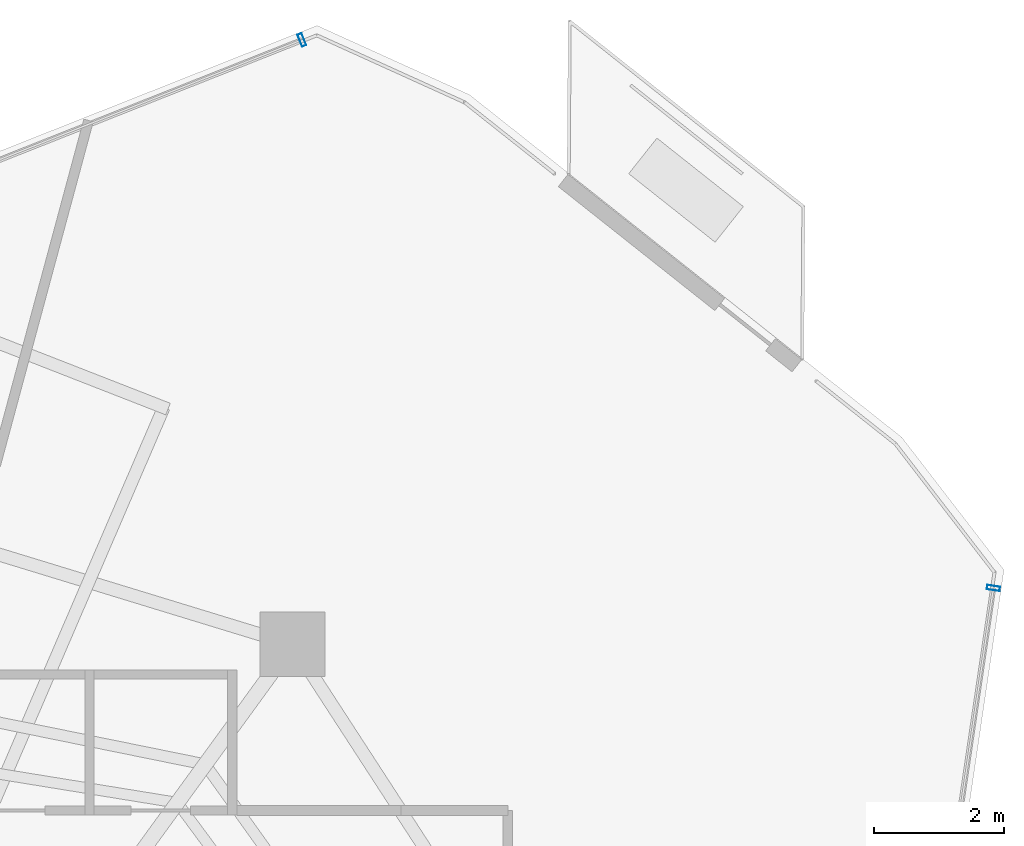
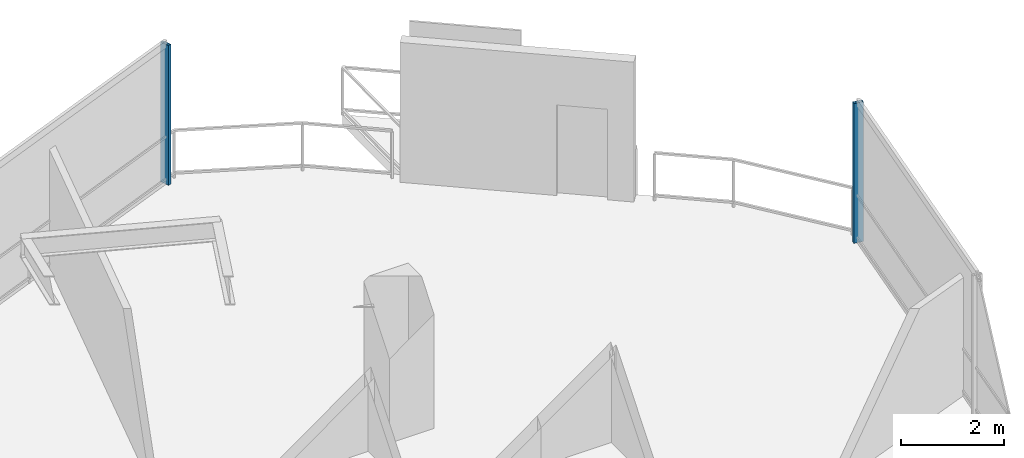
# One storey, part 14 of 20: 2 members, 2 elements without a shape of their own.
"""IFC4 building model written with IfcOpenShell, lengths in metres."""

from ifc_helpers import new_model, si_unit, direction, frame, origin, origin_2d, place, context, subcontext, project, spatial, hollow_rectangle, extrude, material, layer, layer_set, material_profile, profile_set, type_object, element, aggregate, save


model = new_model("IFC4")

# Units and contexts
model_context = context("Model", 3, precision=1e-05, world=origin(), true_north=direction((0.0, 1.0)))
body_context = subcontext(model_context, "Body", "Model", "MODEL_VIEW")
ifc_project = project(units=[si_unit("LENGTHUNIT", "METRE"), si_unit("AREAUNIT", "SQUARE_METRE"), si_unit("VOLUMEUNIT", "CUBIC_METRE"), si_unit("PLANEANGLEUNIT", "RADIAN"), si_unit("MASSUNIT", "GRAM", prefix="KILO")], contexts=[model_context])

# Site, building, storey
site_placement = place(None, origin())
site = spatial("IfcSite", under=ifc_project, at=site_placement, CompositionType="ELEMENT")
building_placement = place(site_placement, origin())
building = spatial("IfcBuilding", under=site, at=building_placement, Name="Qarnah Convention Tower", CompositionType="ELEMENT")
storey_placement = place(building_placement, frame((0.0, 0.0, 147.300048828125)))
storey = spatial("IfcBuildingStorey", under=building, at=storey_placement, Name="L39", CompositionType="ELEMENT", Elevation=147.300048828125)

# Curtain wall, member
ifc_material_1 = material(Name="Tempered Low-E dark glass", Category="glass")
ifc_layer = layer(ifc_material_1, 0.172119140625)
ifc_layer_set = layer_set([ifc_layer], Name="Tempered Low-E dark glass")
curtain_wall_type = type_object("IfcCurtainWallType", Name="CWS-03", PredefinedType="NOTDEFINED", material=ifc_layer_set)
curtain_wall_1_placement = place(storey_placement, origin())
curtain_wall_1 = element("IfcCurtainWall", 1, at=curtain_wall_1_placement, inside=storey, type_object=curtain_wall_type, Name="L39 unitised curtain wall CW-L39-F1", PredefinedType="NOTDEFINED")
ifc_material_2 = material(Name="Black anodised aluminium", Category="aluminium")
ifc_material_profile = material_profile(ifc_material_2, hollow_rectangle(XDim=0.070068359375, YDim=0.199951171875, WallThickness=0.0048828125, at=origin_2d()), Name="MUL-70X200")
ifc_profile_set = profile_set([ifc_material_profile], Name="Black anodised aluminium")
member_type = type_object("IfcMemberType", Name="MUL-T3", PredefinedType="MULLION", material=ifc_profile_set)
member_1_placement = place(storey_placement, frame((56.739990234375, 39.281005859375, 0.0), z_axis=(0.0, 0.0, 1.0), x_axis=(-0.146079316359, -0.989272881126, 0.0)))
member_1 = element("IfcMember", 2, at=member_1_placement, type_object=member_type, Name="CW-L39-F1 mullion 1", PredefinedType="MULLION", context=body_context, shape_type="SweptSolid", body=[
    extrude(hollow_rectangle(XDim=0.070068359375, YDim=0.199951171875, WallThickness=0.0048828125, at=origin_2d()), origin(), (0.0, 0.0, 1.0), 3.320068359375),
])
aggregate(curtain_wall_1, [member_1])

curtain_wall_2_placement = place(storey_placement, origin())
curtain_wall_2 = element("IfcCurtainWall", 3, at=curtain_wall_2_placement, inside=storey, type_object=curtain_wall_type, Name="L39 unitised curtain wall CW-L39-F3", PredefinedType="NOTDEFINED")
member_2_placement = place(storey_placement, frame((46.072998046875, 47.735107421875, 0.0), z_axis=(0.0, 0.0, 1.0), x_axis=(0.929776665788, 0.36812409831, 0.0)))
member_2 = element("IfcMember", 4, at=member_2_placement, type_object=member_type, Name="CW-L39-F3 mullion 6", PredefinedType="MULLION", context=body_context, shape_type="SweptSolid", body=[
    extrude(hollow_rectangle(XDim=0.070068359375, YDim=0.199951171875, WallThickness=0.0048828125, at=origin_2d()), origin(), (0.0, 0.0, 1.0), 3.320068359375),
])
aggregate(curtain_wall_2, [member_2])

save(model, "model.ifc")
